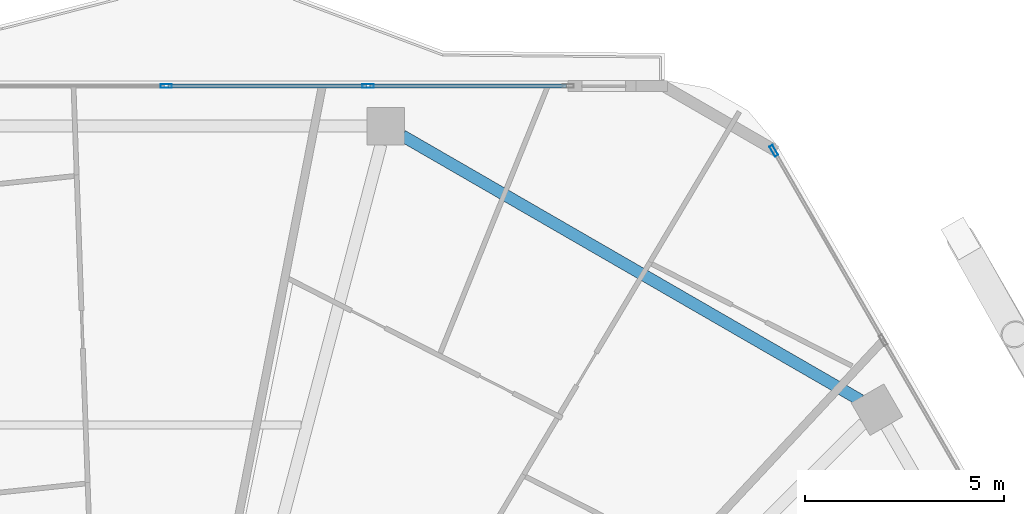
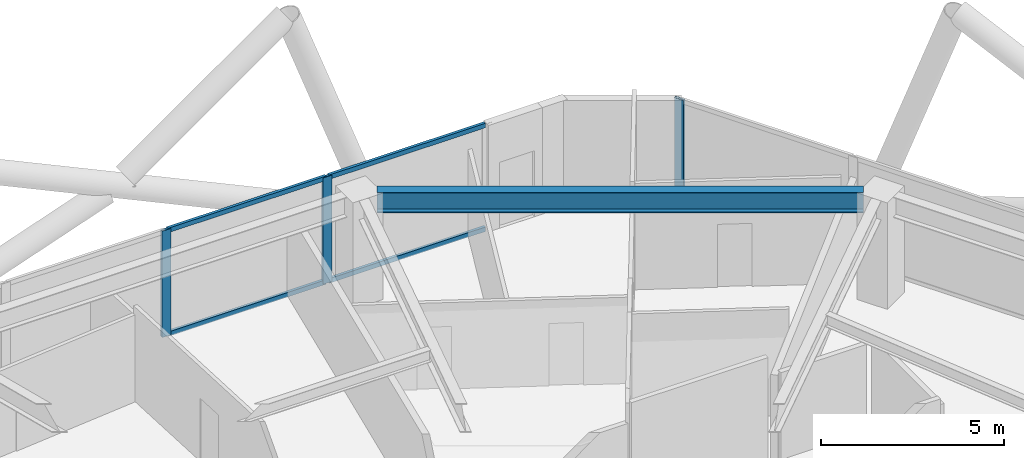
# One storey, part 17 of 28: 7 members, 1 beam, 2 elements without a shape of their own.
"""IFC4 building model written with IfcOpenShell, lengths in metres."""

from ifc_helpers import new_model, si_unit, direction, frame, origin, origin_2d, place, context, subcontext, project, spatial, hollow_rectangle, i_section, extrude, material, material_profile, profile_set, type_object, element, aggregate, save


model = new_model("IFC4")

# Units and contexts
model_context = context("Model", 3, precision=1e-05, world=origin(), true_north=direction((0.0, 1.0)))
body_context = subcontext(model_context, "Body", "Model", "MODEL_VIEW")
ifc_project = project(units=[si_unit("LENGTHUNIT", "METRE"), si_unit("AREAUNIT", "SQUARE_METRE"), si_unit("VOLUMEUNIT", "CUBIC_METRE"), si_unit("PLANEANGLEUNIT", "RADIAN"), si_unit("MASSUNIT", "GRAM", prefix="KILO")], contexts=[model_context])

# Site, building, storey
site_placement = place(None, origin())
site = spatial("IfcSite", under=ifc_project, at=site_placement, CompositionType="ELEMENT")
building_placement = place(site_placement, origin())
building = spatial("IfcBuilding", under=site, at=building_placement, Name="Zuhravey Tower", CompositionType="ELEMENT")
storey_placement = place(building_placement, frame((0.0, 0.0, 207.39990234375)))
storey = spatial("IfcBuildingStorey", under=building, at=storey_placement, Name="L52", CompositionType="ELEMENT", Elevation=207.39990234375)

# Curtain wall, members
ifc_material_1 = material(Name="Thermally broken anodised aluminium", Category="aluminium")
curtain_wall_type = type_object("IfcCurtainWallType", Name="Zone 1-2 Residential Curtain Wall CW3", PredefinedType="NOTDEFINED", material=ifc_material_1)
curtain_wall_1_placement = place(storey_placement, origin())
curtain_wall_1 = element("IfcCurtainWall", 1, at=curtain_wall_1_placement, inside=storey, type_object=curtain_wall_type, Name="L52 CW3 CW-L52-F2-1", PredefinedType="NOTDEFINED")
ifc_material_2 = material(Name="Anodised aluminium", Category="aluminium")
ifc_material_profile_1 = material_profile(ifc_material_2, hollow_rectangle(XDim=0.090087890625, YDim=0.284912109375, WallThickness=0.0048828125, at=origin_2d()), Name="ALU-RHS-90x285x5")
ifc_profile_set_1 = profile_set([ifc_material_profile_1], Name="Anodised aluminium")
member_type_1 = type_object("IfcMemberType", Name="Curtain-Wall Mullion 90x180", PredefinedType="MULLION", material=ifc_profile_set_1)
member_1_placement = place(storey_placement, frame((37.3623046875, 59.18310546875, 0.0), z_axis=(0.0, 0.0, 1.0), x_axis=(0.0, 1.0, 0.0)))
member_1 = element("IfcMember", 2, at=member_1_placement, type_object=member_type_1, Name="CW3 mullion 4", PredefinedType="MULLION", context=body_context, shape_type="SweptSolid", body=[
    extrude(hollow_rectangle(XDim=0.090087890625, YDim=0.284912109375, WallThickness=0.0048828125, at=origin_2d()), origin(), (0.0, 0.0, 1.0), 3.550048828125),
])
member_2_placement = place(storey_placement, frame((42.436767578125, 59.18310546875, 0.0), z_axis=(0.0, 0.0, 1.0), x_axis=(0.0, 1.0, 0.0)))
member_2 = element("IfcMember", 3, at=member_2_placement, type_object=member_type_1, Name="CW3 mullion 5", PredefinedType="MULLION", context=body_context, shape_type="SweptSolid", body=[
    extrude(hollow_rectangle(XDim=0.090087890625, YDim=0.284912109375, WallThickness=0.0048828125, at=origin_2d()), origin(), (0.0, 0.0, 1.0), 3.550048828125),
])

# Curtain wall, member
curtain_wall_2_placement = place(storey_placement, origin())
curtain_wall_2 = element("IfcCurtainWall", 4, at=curtain_wall_2_placement, inside=storey, type_object=curtain_wall_type, Name="L52 CW3 CW-L52-F1-1", PredefinedType="NOTDEFINED")
member_3_placement = place(storey_placement, frame((52.63330078125, 57.556640625, 0.0), z_axis=(0.0, 0.0, 1.0), x_axis=(0.866025138215, 0.500000459979, 0.0)))
member_3 = element("IfcMember", 5, at=member_3_placement, type_object=member_type_1, Name="CW3 mullion 1", PredefinedType="MULLION", context=body_context, shape_type="SweptSolid", body=[
    extrude(hollow_rectangle(XDim=0.090087890625, YDim=0.284912109375, WallThickness=0.0048828125, at=origin_2d()), origin(), (0.0, 0.0, 1.0), 3.550048828125),
])
aggregate(curtain_wall_2, [member_3])

# Member
ifc_material_profile_2 = material_profile(ifc_material_2, hollow_rectangle(XDim=0.090087890625, YDim=0.14990234375, WallThickness=0.0048828125, at=origin_2d()), Name="ALU-RHS-90x150x5")
ifc_profile_set_2 = profile_set([ifc_material_profile_2], Name="Anodised aluminium")
member_type_2 = type_object("IfcMemberType", Name="Curtain-Wall Transom 90x150", PredefinedType="USERDEFINED", material=ifc_profile_set_2)
member_4_placement = place(storey_placement, frame((37.4072265625, 59.18310546875, 0.045166015625), z_axis=(1.0, 0.0, 0.0), x_axis=(0.0, 1.0, 0.0)))
member_4 = element("IfcMember", 6, at=member_4_placement, type_object=member_type_2, Name="CW3 transom 4.1", ObjectType="TRANSOM", PredefinedType="USERDEFINED", context=body_context, shape_type="SweptSolid", body=[
    extrude(hollow_rectangle(XDim=0.090087890625, YDim=0.14990234375, WallThickness=0.0048828125, at=origin_2d()), origin(), (0.0, 0.0, 1.0), 4.984375),
])

member_5_placement = place(storey_placement, frame((37.4072265625, 59.18310546875, 3.505126953125), z_axis=(1.0, 0.0, 0.0), x_axis=(0.0, 1.0, 0.0)))
member_5 = element("IfcMember", 7, at=member_5_placement, type_object=member_type_2, Name="CW3 transom 4.2", ObjectType="TRANSOM", PredefinedType="USERDEFINED", context=body_context, shape_type="SweptSolid", body=[
    extrude(hollow_rectangle(XDim=0.090087890625, YDim=0.14990234375, WallThickness=0.0048828125, at=origin_2d()), origin(), (0.0, 0.0, 1.0), 4.984375),
])

member_6_placement = place(storey_placement, frame((42.481689453125, 59.18310546875, 0.045166015625), z_axis=(1.0, 0.0, 0.0), x_axis=(0.0, 1.0, 0.0)))
member_6 = element("IfcMember", 8, at=member_6_placement, type_object=member_type_2, Name="CW3 transom 5.1", ObjectType="TRANSOM", PredefinedType="USERDEFINED", context=body_context, shape_type="SweptSolid", body=[
    extrude(hollow_rectangle(XDim=0.090087890625, YDim=0.14990234375, WallThickness=0.0048828125, at=origin_2d()), origin(), (0.0, 0.0, 1.0), 4.939453125),
])

member_7_placement = place(storey_placement, frame((42.481689453125, 59.18310546875, 3.505126953125), z_axis=(1.0, 0.0, 0.0), x_axis=(0.0, 1.0, 0.0)))
member_7 = element("IfcMember", 9, at=member_7_placement, type_object=member_type_2, Name="CW3 transom 5.2", ObjectType="TRANSOM", PredefinedType="USERDEFINED", context=body_context, shape_type="SweptSolid", body=[
    extrude(hollow_rectangle(XDim=0.090087890625, YDim=0.14990234375, WallThickness=0.0048828125, at=origin_2d()), origin(), (0.0, 0.0, 1.0), 4.939453125),
])

aggregate(curtain_wall_1, [member_1, member_2, member_4, member_5, member_6, member_7])

# Beam
ifc_material_3 = material(Name="Steel SM355", Category="steel")
ifc_material_profile_3 = material_profile(ifc_material_3, i_section(OverallWidth=0.300048828125, OverallDepth=0.679931640625, WebThickness=0.012939453125, FlangeThickness=0.02197265625, at=origin_2d()), Name="H-680x300x13x22")
ifc_profile_set_3 = profile_set([ifc_material_profile_3], Name="Steel SM355")
beam_type = type_object("IfcBeamType", Name="Perimeter Ring Beam H680x300", PredefinedType="BEAM", material=ifc_profile_set_3)
beam_placement = place(storey_placement, frame((54.8115234375, 51.28564453125, 3.210205078125), z_axis=(-0.866029041019, 0.499993700073, 0.0), x_axis=(-0.499993700073, -0.866029041019, 0.0)))
element("IfcBeam", 10, at=beam_placement, inside=storey, type_object=beam_type, Name="L52 PB2 BM-L52-PB-02", PredefinedType="BEAM", context=body_context, shape_type="SweptSolid", body=[
    extrude(i_section(OverallWidth=0.300048828125, OverallDepth=0.679931640625, WebThickness=0.012939453125, FlangeThickness=0.02197265625, at=origin_2d()), origin(), (0.0, 0.0, 1.0), 13.297119140625),
])

save(model, "model.ifc")
